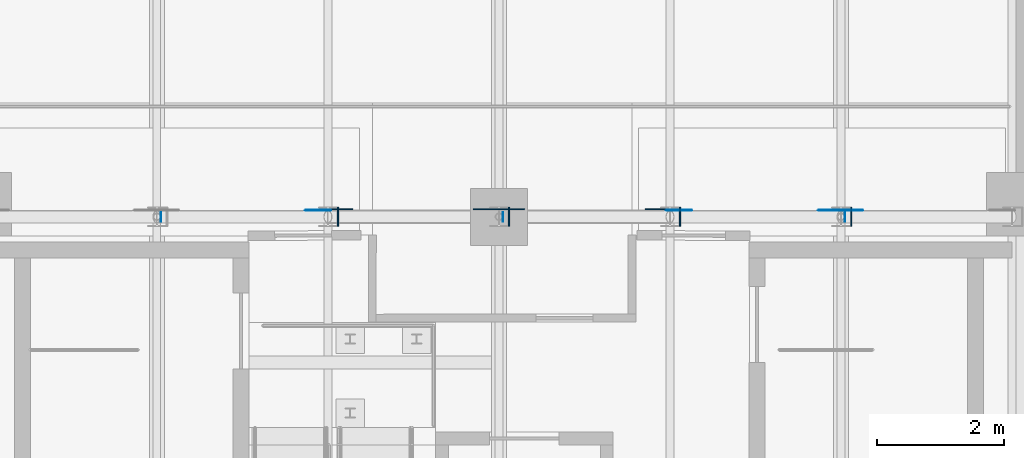
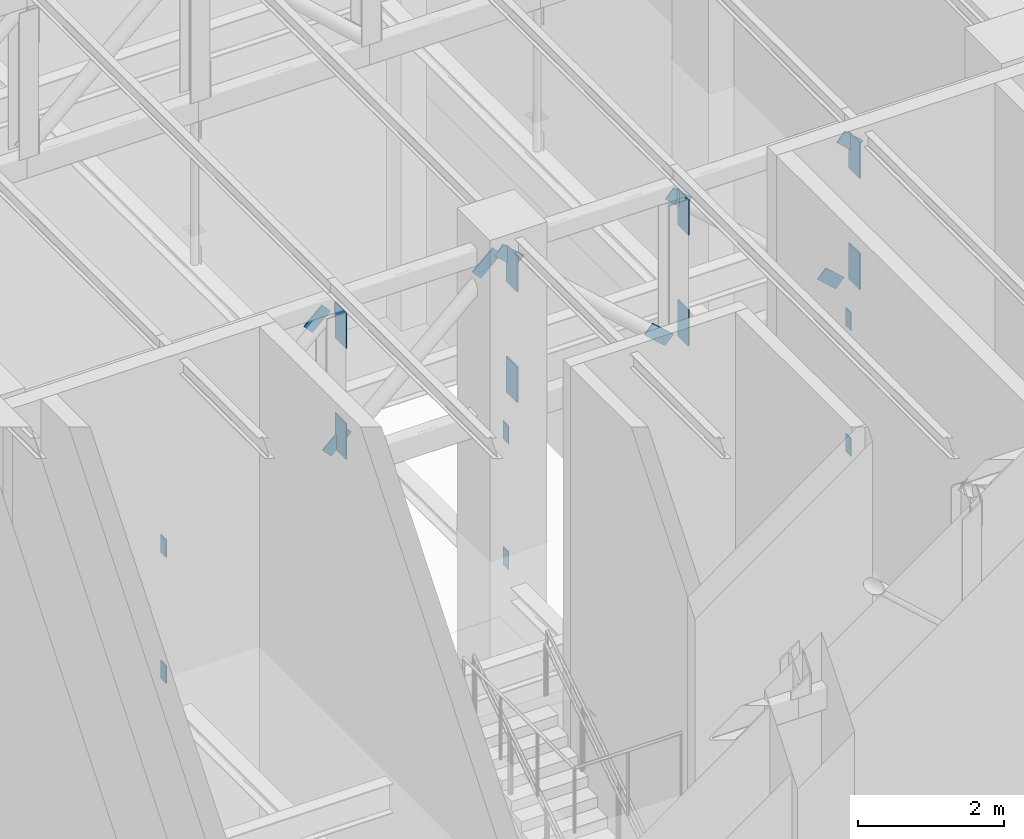
# One storey, part 40 of 68: 22 discrete accessories.
"""IFC4 building model written with IfcOpenShell, lengths in metres."""

from ifc_helpers import new_model, si_unit, direction, frame, origin, origin_2d, place, context, subcontext, project, spatial, rectangle, extrude, material, material_profile, profile_set, type_object, element, save


model = new_model("IFC4")

# Units and contexts
model_context = context("Model", 3, precision=1e-05, world=origin(), true_north=direction((0.0, 1.0)))
body_context = subcontext(model_context, "Body", "Model", "MODEL_VIEW")
ifc_project = project(units=[si_unit("LENGTHUNIT", "METRE"), si_unit("AREAUNIT", "SQUARE_METRE"), si_unit("VOLUMEUNIT", "CUBIC_METRE"), si_unit("PLANEANGLEUNIT", "RADIAN"), si_unit("MASSUNIT", "GRAM", prefix="KILO")], contexts=[model_context])

# Site, building, storey
site_placement = place(None, origin())
site = spatial("IfcSite", under=ifc_project, at=site_placement, CompositionType="ELEMENT")
building_placement = place(site_placement, origin())
building = spatial("IfcBuilding", under=site, at=building_placement, Name="Larchfold Concert Hall", CompositionType="ELEMENT")
storey_placement = place(building_placement, frame((0.0, 0.0, 28.800048828125)))
storey = spatial("IfcBuildingStorey", under=building, at=storey_placement, Name="L06", CompositionType="ELEMENT", Elevation=28.800048828125)

# Discrete accessories
ifc_material_1 = material(Name="Steel S355 galvanised bracket", Category="steel")
ifc_material_profile_1 = material_profile(ifc_material_1, rectangle(XDim=0.011962890625, YDim=0.14990234375, at=origin_2d()))
ifc_profile_set_1 = profile_set([ifc_material_profile_1], Name="Steel S355 galvanised bracket")
discrete_accessory_type_1 = type_object("IfcDiscreteAccessoryType", Name="Gusset plate 12x150", PredefinedType="BRACKET", material=ifc_profile_set_1)
for number, where, z_axis, x_axis, name in (
    (1, (37.26318359375, 42.60009765625, 8.5), (0.0, 0.0, 1.0), (1.0, 0.0, 0.0), "Gusset plate GP0763"),
    (2, (37.26318359375, 42.60009765625, 10.599853515625), (0.0, 0.0, 1.0), (1.0, 0.0, 0.0), "Gusset plate GP0764"),
    (3, (42.663330078125, 42.60009765625, 8.5), (0.0, 0.0, 1.0), (1.0, 0.0, 0.0), "Gusset plate GP0767"),
    (4, (42.663330078125, 42.60009765625, 10.599853515625), (0.0, 0.0, 1.0), (1.0, 0.0, 0.0), "Gusset plate GP0768"),
    (5, (48.063232421875, 42.60009765625, 8.5), (0.0, 0.0, 1.0), (1.0, 0.0, 0.0), "Gusset plate GP0771"),
    (6, (48.063232421875, 42.60009765625, 10.599853515625), (0.0, 0.0, 1.0), (1.0, 0.0, 0.0), "Gusset plate GP0772"),
):
    element("IfcDiscreteAccessory", number, at=place(storey_placement, frame(where, z_axis=z_axis, x_axis=x_axis)), inside=storey, type_object=discrete_accessory_type_1, Name=name, PredefinedType="BRACKET", context=body_context, shape_type="SweptSolid", body=[
        extrude(rectangle(XDim=0.011962890625, YDim=0.14990234375, at=origin_2d()), origin(), (0.0, 0.0, 1.0), 0.300048828125),
    ])
ifc_material_2 = material(Name="Steel S355 galvanised bracket", Category="steel")
ifc_material_profile_2 = material_profile(ifc_material_2, rectangle(XDim=0.011962890625, YDim=0.199951171875, at=origin_2d()))
ifc_profile_set_2 = profile_set([ifc_material_profile_2], Name="Steel S355 galvanised bracket")
discrete_accessory_type_2 = type_object("IfcDiscreteAccessoryType", Name="Gusset plate 12x200", PredefinedType="BRACKET", material=ifc_profile_set_2)
for number, where, z_axis, x_axis, name in (
    (7, (39.59814453125, 42.702880859375, 13.476318359375), (0.740624199034, 0.0, 0.671919486103), (0.0, 1.0, 0.0), "Gusset plate GP0702"),
    (8, (45.300048828125, 42.702880859375, 13.75), (0.740624199034, 0.0, -0.671919486103), (0.0, 1.0, 0.0), "Gusset plate GP0707"),
    (9, (47.6982421875, 42.702880859375, 11.57373046875), (0.740624199034, 0.0, -0.671919486103), (0.0, 1.0, 0.0), "Gusset plate GP0708"),
    (10, (48.0, 42.702880859375, 13.75), (0.740624199034, 0.0, -0.671919486103), (0.0, 1.0, 0.0), "Gusset plate GP0709"),
):
    element("IfcDiscreteAccessory", number, at=place(storey_placement, frame(where, z_axis=z_axis, x_axis=x_axis)), inside=storey, type_object=discrete_accessory_type_2, Name=name, PredefinedType="BRACKET", context=body_context, shape_type="SweptSolid", body=[
        extrude(rectangle(XDim=0.011962890625, YDim=0.199951171875, at=origin_2d()), origin(), (0.0, 0.0, 1.0), 0.38720703125),
    ])
ifc_material_3 = material(Name="Steel S355 galvanised bracket", Category="steel")
ifc_material_profile_3 = material_profile(ifc_material_3, rectangle(XDim=0.01611328125, YDim=0.199951171875, at=origin_2d()))
ifc_profile_set_3 = profile_set([ifc_material_profile_3], Name="Steel S355 galvanised bracket")
discrete_accessory_type_3 = type_object("IfcDiscreteAccessoryType", Name="Gusset plate 16x200", PredefinedType="BRACKET", material=ifc_profile_set_3)
for number, where, z_axis, x_axis, name in (
    (11, (39.89990234375, 42.717529296875, 11.300048828125), (0.740544899397, 0.0, 0.672006883877), (0.0, 1.0, 0.0), "Gusset plate GP0703"),
    (12, (42.2607421875, 42.717529296875, 13.442138671875), (0.740544899397, 0.0, 0.672006883877), (0.0, 1.0, 0.0), "Gusset plate GP0704"),
    (13, (42.614990234375, 42.717529296875, 13.736572265625), (0.740544899397, 0.0, -0.672006883877), (0.0, 1.0, 0.0), "Gusset plate GP0705"),
    (14, (44.9755859375, 42.717529296875, 11.594482421875), (0.740544899397, 0.0, -0.672006883877), (0.0, 1.0, 0.0), "Gusset plate GP0706"),
):
    element("IfcDiscreteAccessory", number, at=place(storey_placement, frame(where, z_axis=z_axis, x_axis=x_axis)), inside=storey, type_object=discrete_accessory_type_3, Name=name, PredefinedType="BRACKET", context=body_context, shape_type="SweptSolid", body=[
        extrude(rectangle(XDim=0.01611328125, YDim=0.199951171875, at=origin_2d()), origin(), (0.0, 0.0, 1.0), 0.438232421875),
    ])
ifc_material_4 = material(Name="Steel S355 galvanised bracket", Category="steel")
ifc_material_profile_4 = material_profile(ifc_material_4, rectangle(XDim=0.02001953125, YDim=0.300048828125, at=origin_2d()))
ifc_profile_set_4 = profile_set([ifc_material_profile_4], Name="Steel S355 galvanised bracket")
discrete_accessory_type_4 = type_object("IfcDiscreteAccessoryType", Name="Gusset plate 20x300", PredefinedType="BRACKET", material=ifc_profile_set_4)
for number, where, z_axis, x_axis, name in (
    (15, (40.059814453125, 42.60009765625, 11.300048828125), (0.0, 0.0, 1.0), (1.0, 0.0, 0.0), "Gusset plate GP0689"),
    (16, (40.059814453125, 42.60009765625, 13.14990234375), (0.0, 0.0, 1.0), (1.0, 0.0, 0.0), "Gusset plate GP0690"),
    (17, (42.760009765625, 42.60009765625, 11.300048828125), (0.0, 0.0, 1.0), (1.0, 0.0, 0.0), "Gusset plate GP0691"),
    (18, (42.760009765625, 42.60009765625, 13.14990234375), (0.0, 0.0, 1.0), (1.0, 0.0, 0.0), "Gusset plate GP0692"),
    (19, (45.4599609375, 42.60009765625, 11.300048828125), (0.0, 0.0, 1.0), (1.0, 0.0, 0.0), "Gusset plate GP0693"),
    (20, (45.4599609375, 42.60009765625, 13.14990234375), (0.0, 0.0, 1.0), (1.0, 0.0, 0.0), "Gusset plate GP0694"),
    (21, (48.159912109375, 42.60009765625, 11.300048828125), (0.0, 0.0, 1.0), (1.0, 0.0, 0.0), "Gusset plate GP0695"),
    (22, (48.159912109375, 42.60009765625, 13.14990234375), (0.0, 0.0, 1.0), (1.0, 0.0, 0.0), "Gusset plate GP0696"),
):
    element("IfcDiscreteAccessory", number, at=place(storey_placement, frame(where, z_axis=z_axis, x_axis=x_axis)), inside=storey, type_object=discrete_accessory_type_4, Name=name, PredefinedType="BRACKET", context=body_context, shape_type="SweptSolid", body=[
        extrude(rectangle(XDim=0.02001953125, YDim=0.300048828125, at=origin_2d()), origin(), (0.0, 0.0, 1.0), 0.60009765625),
    ])

save(model, "model.ifc")
